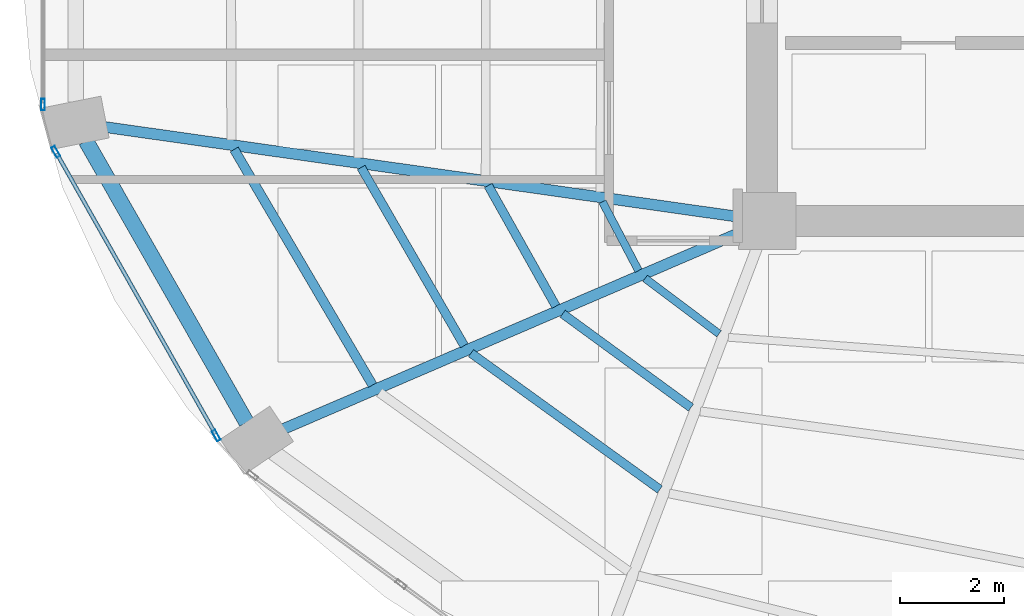
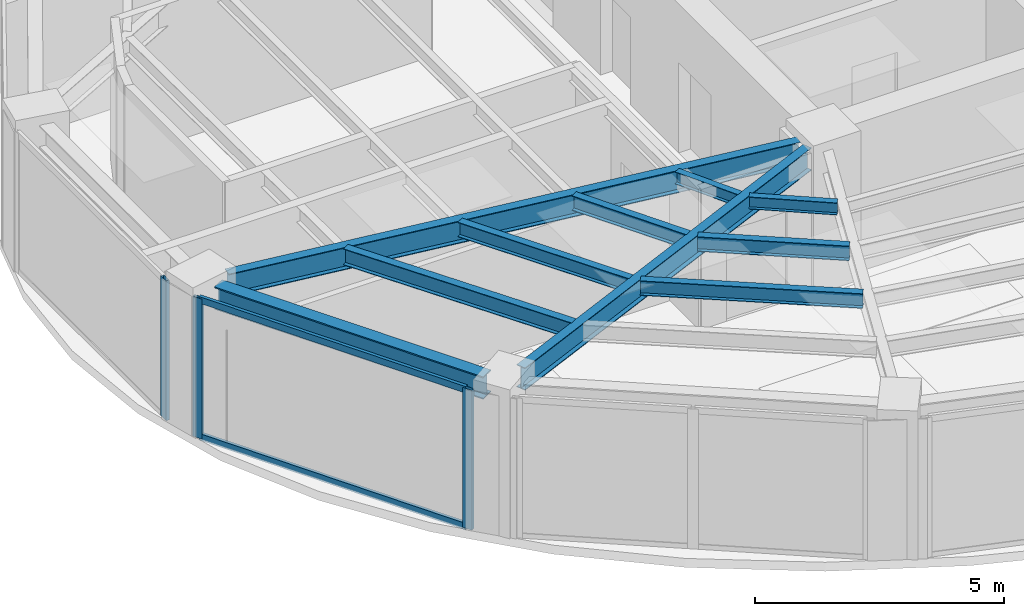
# One storey, part 3 of 20: 10 beams, 5 members, 2 elements without a shape of their own.
"""IFC4 building model written with IfcOpenShell, lengths in metres."""

from ifc_helpers import new_model, si_unit, direction, frame, origin, origin_2d, place, context, subcontext, project, spatial, hollow_rectangle, i_section, extrude, material, layer, layer_set, material_profile, profile_set, type_object, element, aggregate, save


model = new_model("IFC4")

# Units and contexts
model_context = context("Model", 3, precision=1e-05, world=origin(), true_north=direction((0.0, 1.0)))
body_context = subcontext(model_context, "Body", "Model", "MODEL_VIEW")
ifc_project = project(units=[si_unit("LENGTHUNIT", "METRE"), si_unit("AREAUNIT", "SQUARE_METRE"), si_unit("VOLUMEUNIT", "CUBIC_METRE"), si_unit("PLANEANGLEUNIT", "RADIAN"), si_unit("MASSUNIT", "GRAM", prefix="KILO")], contexts=[model_context])

# Site, building, storey
site_placement = place(None, origin())
site = spatial("IfcSite", under=ifc_project, at=site_placement, CompositionType="ELEMENT")
building_placement = place(site_placement, origin())
building = spatial("IfcBuilding", under=site, at=building_placement, Name="Lazwardi Medical Tower", CompositionType="ELEMENT")
storey_placement = place(building_placement, frame((0.0, 0.0, 174.76806640625)))
storey = spatial("IfcBuildingStorey", under=building, at=storey_placement, Name="L45", CompositionType="ELEMENT", Elevation=174.76806640625)

# Beams
ifc_material_1 = material(Name="Steel S355", Category="steel")
ifc_material_profile_1 = material_profile(ifc_material_1, i_section(OverallWidth=0.300048828125, OverallDepth=0.550048828125, WebThickness=0.014892578125, FlangeThickness=0.029052734375, at=origin_2d()), Name="HEB 550")
ifc_profile_set_1 = profile_set([ifc_material_profile_1], Name="Steel S355")
beam_type_1 = type_object("IfcBeamType", Name="BM-RB-Z3", PredefinedType="BEAM", material=ifc_profile_set_1)
beam_1_placement = place(storey_placement, frame((13.272216796875, 21.94091796875, 3.15283203125), z_axis=(0.495460926326, -0.868630226554, 0.0), x_axis=(0.868630226554, 0.495460926326, 0.0)))
element("IfcBeam", 1, at=beam_1_placement, inside=storey, type_object=beam_type_1, Name="Ring beam RB-04 B13 L45", PredefinedType="BEAM", context=body_context, shape_type="SweptSolid", body=[
    extrude(i_section(OverallWidth=0.300048828125, OverallDepth=0.550048828125, WebThickness=0.014892578125, FlangeThickness=0.029052734375, at=origin_2d()), origin(), (0.0, 0.0, 1.0), 6.24462890625),
])
ifc_material_profile_2 = material_profile(ifc_material_1, i_section(OverallWidth=0.2099609375, OverallDepth=0.550048828125, WebThickness=0.010986328125, FlangeThickness=0.01708984375, at=origin_2d()), Name="IPE 550")
ifc_profile_set_2 = profile_set([ifc_material_profile_2], Name="Steel S355")
beam_type_2 = type_object("IfcBeamType", Name="BM-RG-W2", PredefinedType="BEAM", material=ifc_profile_set_2)
beam_2_placement = place(storey_placement, frame((13.628662109375, 22.209716796875, 3.15283203125), z_axis=(0.99010958763, -0.140296131389, 0.0), x_axis=(0.140296131389, 0.99010958763, 0.0)))
element("IfcBeam", 2, at=beam_2_placement, inside=storey, type_object=beam_type_2, Name="Radial girder RG-03 R13 L45", PredefinedType="BEAM", context=body_context, shape_type="SweptSolid", body=[
    extrude(i_section(OverallWidth=0.2099609375, OverallDepth=0.550048828125, WebThickness=0.010986328125, FlangeThickness=0.01708984375, at=origin_2d()), origin(), (0.0, 0.0, 1.0), 12.364013671875),
])
beam_3_placement = place(storey_placement, frame((17.078857421875, 16.390380859375, 3.15283203125), z_axis=(0.918608156288, 0.395169653695, 0.0), x_axis=(-0.395169653695, 0.918608156288, 0.0)))
element("IfcBeam", 3, at=beam_3_placement, inside=storey, type_object=beam_type_2, Name="Radial girder RG-03 R14 L45", PredefinedType="BEAM", context=body_context, shape_type="SweptSolid", body=[
    extrude(i_section(OverallWidth=0.2099609375, OverallDepth=0.550048828125, WebThickness=0.010986328125, FlangeThickness=0.01708984375, at=origin_2d()), origin(), (0.0, 0.0, 1.0), 9.61181640625),
])
ifc_material_profile_3 = material_profile(ifc_material_1, i_section(OverallWidth=0.179931640625, OverallDepth=0.39990234375, WebThickness=0.008544921875, FlangeThickness=0.013427734375, at=origin_2d()), Name="IPE 400")
ifc_profile_set_3 = profile_set([ifc_material_profile_3], Name="Steel S355")
beam_type_3 = type_object("IfcBeamType", Name="BM-SJ-01", PredefinedType="JOIST", material=ifc_profile_set_3)
beam_4_placement = place(storey_placement, frame((16.127685546875, 21.776611328125, 3.22802734375), z_axis=(0.506420212881, -0.862286824662, 0.0), x_axis=(0.862286824662, 0.506420212881, 0.0)))
element("IfcBeam", 4, at=beam_4_placement, inside=storey, type_object=beam_type_3, Name="Secondary joist SJ-01 R1 B13 L45", PredefinedType="JOIST", context=body_context, shape_type="SweptSolid", body=[
    extrude(i_section(OverallWidth=0.179931640625, OverallDepth=0.39990234375, WebThickness=0.008544921875, FlangeThickness=0.013427734375, at=origin_2d()), origin(), (0.0, 0.0, 1.0), 5.265380859375),
])
ifc_material_profile_4 = material_profile(ifc_material_1, i_section(OverallWidth=0.169921875, OverallDepth=0.360107421875, WebThickness=0.008056640625, FlangeThickness=0.0126953125, at=origin_2d()), Name="IPE 360")
ifc_profile_set_4 = profile_set([ifc_material_profile_4], Name="Steel S355")
beam_type_4 = type_object("IfcBeamType", Name="BM-SJ-02", PredefinedType="JOIST", material=ifc_profile_set_4)
beam_5_placement = place(storey_placement, frame((18.5751953125, 21.42919921875, 3.248046875), z_axis=(0.500640648605, -0.865655209055, 0.0), x_axis=(0.865655209055, 0.500640648605, 0.0)))
element("IfcBeam", 5, at=beam_5_placement, inside=storey, type_object=beam_type_4, Name="Secondary joist SJ-02 R2 B13 L45", PredefinedType="JOIST", context=body_context, shape_type="SweptSolid", body=[
    extrude(i_section(OverallWidth=0.169921875, OverallDepth=0.360107421875, WebThickness=0.008056640625, FlangeThickness=0.0126953125, at=origin_2d()), origin(), (0.0, 0.0, 1.0), 3.965576171875),
])
beam_6_placement = place(storey_placement, frame((20.69189453125, 17.851318359375, 3.248046875), z_axis=(0.810738039179, -0.585409114917, 0.0), x_axis=(0.585409114917, 0.810738039179, 0.0)))
element("IfcBeam", 6, at=beam_6_placement, inside=storey, type_object=beam_type_4, Name="Secondary joist SJ-02 R2 B14 L45", PredefinedType="JOIST", context=body_context, shape_type="SweptSolid", body=[
    extrude(i_section(OverallWidth=0.169921875, OverallDepth=0.360107421875, WebThickness=0.008056640625, FlangeThickness=0.0126953125, at=origin_2d()), origin(), (0.0, 0.0, 1.0), 4.48779296875),
])
beam_7_placement = place(storey_placement, frame((21.022705078125, 21.081787109375, 3.248046875), z_axis=(0.489408945026, -0.872054404569, 0.0), x_axis=(0.872054404569, 0.489408945026, 0.0)))
element("IfcBeam", 7, at=beam_7_placement, inside=storey, type_object=beam_type_4, Name="Secondary joist SJ-02 R3 B13 L45", PredefinedType="JOIST", context=body_context, shape_type="SweptSolid", body=[
    extrude(i_section(OverallWidth=0.169921875, OverallDepth=0.360107421875, WebThickness=0.008056640625, FlangeThickness=0.0126953125, at=origin_2d()), origin(), (0.0, 0.0, 1.0), 2.666259765625),
])
beam_8_placement = place(storey_placement, frame((22.45751953125, 18.6103515625, 3.248046875), z_axis=(0.807285959008, -0.590160470033, 0.0), x_axis=(0.590160470033, 0.807285959008, 0.0)))
element("IfcBeam", 8, at=beam_8_placement, inside=storey, type_object=beam_type_4, Name="Secondary joist SJ-02 R3 B14 L45", PredefinedType="JOIST", context=body_context, shape_type="SweptSolid", body=[
    extrude(i_section(OverallWidth=0.169921875, OverallDepth=0.360107421875, WebThickness=0.008056640625, FlangeThickness=0.0126953125, at=origin_2d()), origin(), (0.0, 0.0, 1.0), 3.06298828125),
])
ifc_material_profile_5 = material_profile(ifc_material_1, i_section(OverallWidth=0.14990234375, OverallDepth=0.300048828125, WebThickness=0.007080078125, FlangeThickness=0.0107421875, at=origin_2d()), Name="IPE 300")
ifc_profile_set_5 = profile_set([ifc_material_profile_5], Name="Steel S355")
beam_type_5 = type_object("IfcBeamType", Name="BM-SJ-03", PredefinedType="JOIST", material=ifc_profile_set_5)
beam_9_placement = place(storey_placement, frame((23.2236328125, 20.768310546875, 3.27783203125), z_axis=(0.464469748171, -0.885588986513, 0.0), x_axis=(0.885588986513, 0.464469748171, 0.0)))
element("IfcBeam", 9, at=beam_9_placement, inside=storey, type_object=beam_type_5, Name="Secondary joist SJ-03 R4 B13 L45", PredefinedType="JOIST", context=body_context, shape_type="SweptSolid", body=[
    extrude(i_section(OverallWidth=0.14990234375, OverallDepth=0.300048828125, WebThickness=0.007080078125, FlangeThickness=0.0107421875, at=origin_2d()), origin(), (0.0, 0.0, 1.0), 1.498046875),
])
beam_10_placement = place(storey_placement, frame((24.0458984375, 19.29296875, 3.27783203125), z_axis=(0.799884834751, -0.600153522972, 0.0), x_axis=(0.600153522972, 0.799884834751, 0.0)))
element("IfcBeam", 10, at=beam_10_placement, inside=storey, type_object=beam_type_5, Name="Secondary joist SJ-03 R4 B14 L45", PredefinedType="JOIST", context=body_context, shape_type="SweptSolid", body=[
    extrude(i_section(OverallWidth=0.14990234375, OverallDepth=0.300048828125, WebThickness=0.007080078125, FlangeThickness=0.0107421875, at=origin_2d()), origin(), (0.0, 0.0, 1.0), 1.781005859375),
])

# Curtain wall, member
ifc_material_2 = material(Name="Anodised bronze aluminium and solar control glazing", Category="aluminium")
ifc_layer = layer(ifc_material_2, 0.195068359375)
ifc_layer_set = layer_set([ifc_layer], Name="Anodised bronze aluminium and solar control glazing")
curtain_wall_type = type_object("IfcCurtainWallType", Name="CW-SYS-03", PredefinedType="NOTDEFINED", material=ifc_layer_set)
curtain_wall_1_placement = place(storey_placement, origin())
curtain_wall_1 = element("IfcCurtainWall", 11, at=curtain_wall_1_placement, inside=storey, type_object=curtain_wall_type, Name="L45 Unitised bronze curtain wall CW-03", PredefinedType="NOTDEFINED")
ifc_material_3 = material(Name="Anodised bronze aluminium", Category="aluminium")
ifc_material_profile_6 = material_profile(ifc_material_3, hollow_rectangle(XDim=0.074951171875, YDim=0.219970703125, WallThickness=0.00390625, at=origin_2d()), Name="ALU-MULLION 220x75x4")
ifc_profile_set_6 = profile_set([ifc_material_profile_6], Name="Anodised bronze aluminium")
member_type_1 = type_object("IfcMemberType", Name="CW-MUL-01", PredefinedType="MULLION", material=ifc_profile_set_6)
member_1_placement = place(storey_placement, frame((12.4423828125, 22.64208984375, 0.0), z_axis=(0.0, 0.0, 1.0), x_axis=(1.0, 0.0, 0.0)))
member_1 = element("IfcMember", 12, at=member_1_placement, type_object=member_type_1, Name="CW-03 mullion 2", PredefinedType="MULLION", context=body_context, shape_type="SweptSolid", body=[
    extrude(hollow_rectangle(XDim=0.074951171875, YDim=0.219970703125, WallThickness=0.00390625, at=origin_2d()), origin(), (0.0, 0.0, 1.0), 3.427978515625),
])
aggregate(curtain_wall_1, [member_1])

# Curtain wall, members
curtain_wall_2_placement = place(storey_placement, origin())
curtain_wall_2 = element("IfcCurtainWall", 13, at=curtain_wall_2_placement, inside=storey, type_object=curtain_wall_type, Name="L45 Unitised bronze curtain wall CW-03", PredefinedType="NOTDEFINED")
member_2_placement = place(storey_placement, frame((12.68896484375, 21.732666015625, 0.0), z_axis=(0.0, 0.0, 1.0), x_axis=(0.870418989303, 0.492311672683, 0.0)))
member_2 = element("IfcMember", 14, at=member_2_placement, type_object=member_type_1, Name="CW-03 mullion 1", PredefinedType="MULLION", context=body_context, shape_type="SweptSolid", body=[
    extrude(hollow_rectangle(XDim=0.074951171875, YDim=0.219970703125, WallThickness=0.00390625, at=origin_2d()), origin(), (0.0, 0.0, 1.0), 3.427978515625),
])
member_3_placement = place(storey_placement, frame((15.782470703125, 16.26318359375, 0.0), z_axis=(0.0, 0.0, 1.0), x_axis=(0.870418989303, 0.492311672683, 0.0)))
member_3 = element("IfcMember", 15, at=member_3_placement, type_object=member_type_1, Name="CW-03 mullion 2", PredefinedType="MULLION", context=body_context, shape_type="SweptSolid", body=[
    extrude(hollow_rectangle(XDim=0.074951171875, YDim=0.219970703125, WallThickness=0.00390625, at=origin_2d()), origin(), (0.0, 0.0, 1.0), 3.427978515625),
])
ifc_material_profile_7 = material_profile(ifc_material_3, hollow_rectangle(XDim=0.074951171875, YDim=0.159912109375, WallThickness=0.00390625, at=origin_2d()), Name="ALU-TRANSOM 160x75x4")
ifc_profile_set_7 = profile_set([ifc_material_profile_7], Name="Anodised bronze aluminium")
member_type_2 = type_object("IfcMemberType", Name="CW-TRN-01", PredefinedType="USERDEFINED", material=ifc_profile_set_7)
member_4_placement = place(storey_placement, frame((12.707275390625, 21.7001953125, 0.037353515625), z_axis=(0.492306010269, -0.870422191958, 0.0), x_axis=(0.870422191958, 0.492306010269, 0.0)))
member_4 = element("IfcMember", 16, at=member_4_placement, type_object=member_type_2, Name="CW-03 transom 1.1", ObjectType="TRANSOM", PredefinedType="USERDEFINED", context=body_context, shape_type="SweptSolid", body=[
    extrude(hollow_rectangle(XDim=0.074951171875, YDim=0.159912109375, WallThickness=0.00390625, at=origin_2d()), origin(), (0.0, 0.0, 1.0), 6.208740234375),
])
member_5_placement = place(storey_placement, frame((12.707275390625, 21.7001953125, 3.390380859375), z_axis=(0.492306010269, -0.870422191958, 0.0), x_axis=(0.870422191958, 0.492306010269, 0.0)))
member_5 = element("IfcMember", 17, at=member_5_placement, type_object=member_type_2, Name="CW-03 transom 1.2", ObjectType="TRANSOM", PredefinedType="USERDEFINED", context=body_context, shape_type="SweptSolid", body=[
    extrude(hollow_rectangle(XDim=0.074951171875, YDim=0.159912109375, WallThickness=0.00390625, at=origin_2d()), origin(), (0.0, 0.0, 1.0), 6.208740234375),
])
aggregate(curtain_wall_2, [member_2, member_3, member_4, member_5])

save(model, "model.ifc")
